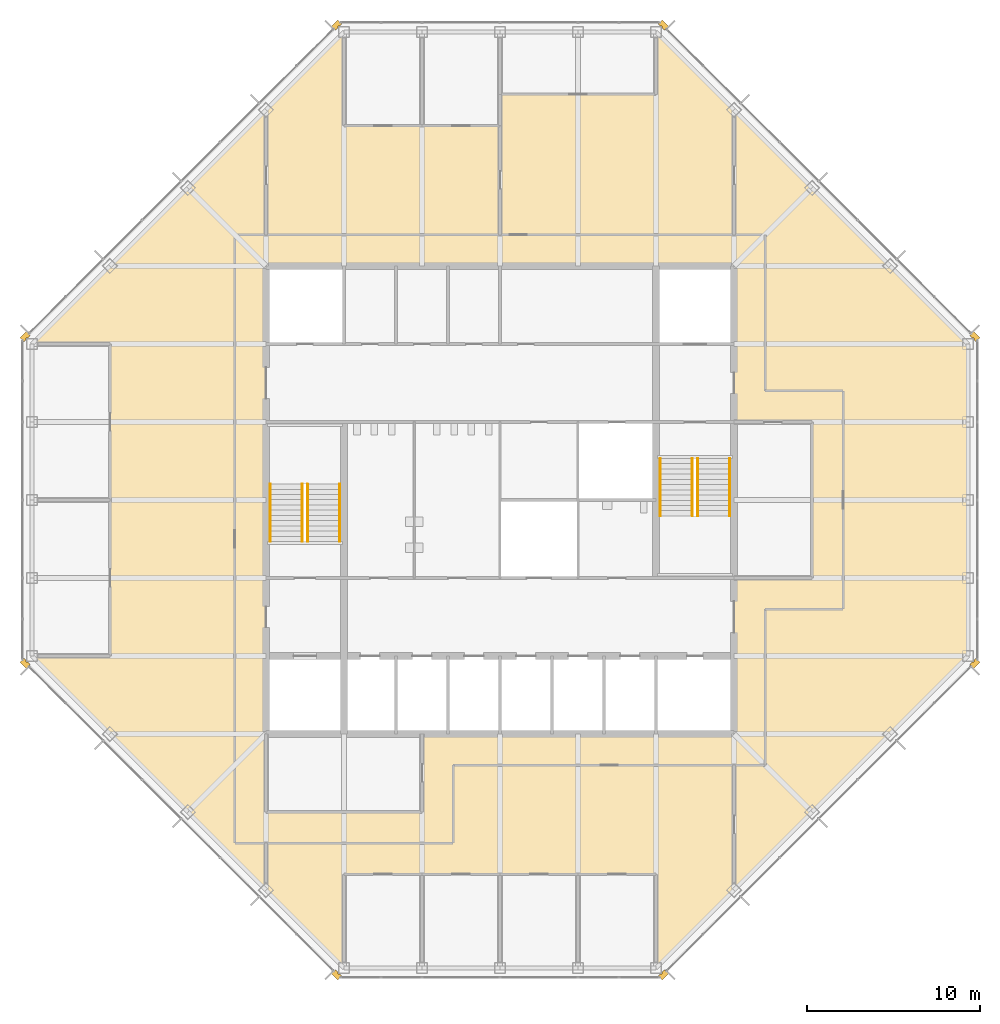
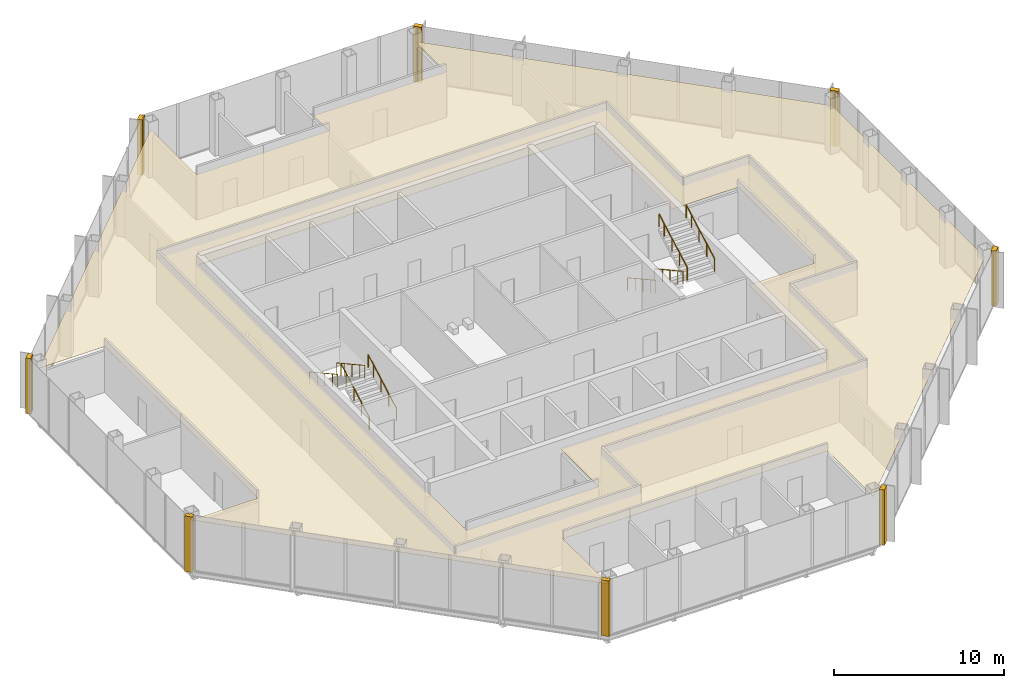
# One storey, part 12 of 13: 9 coverings, 8 railings.
"""IFC4 building model written with IfcOpenShell, lengths in metres."""

from ifc_helpers import new_model, si_unit, direction, frame, origin, origin_2d, place, context, subcontext, project, spatial, polyline, circle, outline, extrude, material, layer, layer_set, type_object, element, save


model = new_model("IFC4")

# Units and contexts
model_context = context("Model", 3, precision=1e-05, world=origin(), true_north=direction((0.0, 1.0)))
body_context = subcontext(model_context, "Body", "Model", "MODEL_VIEW")
ifc_project = project(units=[si_unit("LENGTHUNIT", "METRE"), si_unit("AREAUNIT", "SQUARE_METRE"), si_unit("VOLUMEUNIT", "CUBIC_METRE"), si_unit("PLANEANGLEUNIT", "RADIAN"), si_unit("MASSUNIT", "GRAM", prefix="KILO")], contexts=[model_context])

# Site, building, storey
site_placement = place(None, origin())
site = spatial("IfcSite", under=ifc_project, at=site_placement, CompositionType="ELEMENT")
building_placement = place(site_placement, origin())
building = spatial("IfcBuilding", under=site, at=building_placement, Name="Corais Broadcast Tower", CompositionType="ELEMENT")
storey_placement = place(building_placement, frame((0.0, 0.0, 226.60009765625)))
storey = spatial("IfcBuildingStorey", under=building, at=storey_placement, Name="L52", CompositionType="ELEMENT", Elevation=226.60009765625)

# Railings
ifc_material_1 = material(Name="Stainless steel handrail", Category="steel")
railing_type = type_object("IfcRailingType", Name="Handrail 920", PredefinedType="HANDRAIL", material=ifc_material_1)
for number, where, name in (
    (1, (17.75, 24.60009765625, 0.16650390625), "HR1 L52"),
    (2, (15.89990234375, 24.60009765625, 0.16650390625), "HR1 L52"),
):
    element("IfcRailing", number, at=place(storey_placement, frame(where)), inside=storey, type_object=railing_type, Name=name, PredefinedType="HANDRAIL", context=body_context, shape_type="SweptSolid", body=[
        extrude(circle(Radius=0.02392578125, at=origin_2d()), frame((0.0, 0.0, 0.89599609375), z_axis=(0.0, 0.875504475178, 0.483210010185), x_axis=(-1.0, 0.0, 0.0)), (0.0, 0.0, 1.0), 3.79443359375),
        extrude(circle(Radius=0.02099609375, at=origin_2d()), origin(), (0.0, 0.0, 1.0), 0.871826171875),
        extrude(circle(Radius=0.02099609375, at=origin_2d()), frame((0.0, 0.906005859375, 0.5)), (0.0, 0.0, 1.0), 0.871826171875),
        extrude(circle(Radius=0.02099609375, at=origin_2d()), frame((0.0, 1.81201171875, 1.0)), (0.0, 0.0, 1.0), 0.871826171875),
        extrude(circle(Radius=0.02099609375, at=origin_2d()), frame((0.0, 2.718017578125, 1.500244140625)), (0.0, 0.0, 1.0), 0.871826171875),
        extrude(circle(Radius=0.02099609375, at=origin_2d()), frame((0.0, 3.322021484375, 1.83349609375)), (0.0, 0.0, 1.0), 0.871826171875),
    ])
for number, where, name in (
    (3, (13.75, 27.922119140625, 2.16650390625), "HR1 L52"),
    (4, (15.60009765625, 27.922119140625, 2.16650390625), "HR1 L52"),
    (5, (36.25, 29.39990234375, 0.16650390625), "HR1 L52"),
    (6, (38.10009765625, 29.39990234375, 0.16650390625), "HR1 L52"),
):
    element("IfcRailing", number, at=place(storey_placement, frame(where)), inside=storey, type_object=railing_type, Name=name, PredefinedType="HANDRAIL", context=body_context, shape_type="SweptSolid", body=[
        extrude(circle(Radius=0.02392578125, at=origin_2d()), frame((0.0, 0.0, 0.89599609375), z_axis=(0.0, -0.875504475178, 0.483210010185), x_axis=(1.0, 0.0, 0.0)), (0.0, 0.0, 1.0), 3.79443359375),
        extrude(circle(Radius=0.02099609375, at=origin_2d()), origin(), (0.0, 0.0, 1.0), 0.871826171875),
        extrude(circle(Radius=0.02099609375, at=origin_2d()), frame((0.0, -0.906005859375, 0.5)), (0.0, 0.0, 1.0), 0.871826171875),
        extrude(circle(Radius=0.02099609375, at=origin_2d()), frame((0.0, -1.81201171875, 1.0)), (0.0, 0.0, 1.0), 0.871826171875),
        extrude(circle(Radius=0.02099609375, at=origin_2d()), frame((0.0, -2.718017578125, 1.500244140625)), (0.0, 0.0, 1.0), 0.871826171875),
        extrude(circle(Radius=0.02099609375, at=origin_2d()), frame((0.0, -3.322021484375, 1.83349609375)), (0.0, 0.0, 1.0), 0.871826171875),
    ])
for number, where, name in (
    (7, (40.25, 26.077880859375, 2.16650390625), "HR1 L52"),
    (8, (38.39990234375, 26.077880859375, 2.16650390625), "HR1 L52"),
):
    element("IfcRailing", number, at=place(storey_placement, frame(where)), inside=storey, type_object=railing_type, Name=name, PredefinedType="HANDRAIL", context=body_context, shape_type="SweptSolid", body=[
        extrude(circle(Radius=0.02392578125, at=origin_2d()), frame((0.0, 0.0, 0.89599609375), z_axis=(0.0, 0.875504475178, 0.483210010185), x_axis=(-1.0, 0.0, 0.0)), (0.0, 0.0, 1.0), 3.79443359375),
        extrude(circle(Radius=0.02099609375, at=origin_2d()), origin(), (0.0, 0.0, 1.0), 0.871826171875),
        extrude(circle(Radius=0.02099609375, at=origin_2d()), frame((0.0, 0.906005859375, 0.5)), (0.0, 0.0, 1.0), 0.871826171875),
        extrude(circle(Radius=0.02099609375, at=origin_2d()), frame((0.0, 1.81201171875, 1.0)), (0.0, 0.0, 1.0), 0.871826171875),
        extrude(circle(Radius=0.02099609375, at=origin_2d()), frame((0.0, 2.718017578125, 1.500244140625)), (0.0, 0.0, 1.0), 0.871826171875),
        extrude(circle(Radius=0.02099609375, at=origin_2d()), frame((0.0, 3.322021484375, 1.83349609375)), (0.0, 0.0, 1.0), 0.871826171875),
    ])

# Coverings
ifc_material_2 = material(Name="Granite stone cladding", Category="masonry")
ifc_layer_1 = layer(ifc_material_2, 0.324951171875)
ifc_layer_set_1 = layer_set([ifc_layer_1], Name="Granite stone cladding")
covering_type_1 = type_object("IfcCoveringType", Name="Stone corner pier cladding 500x325", PredefinedType="CLADDING", material=ifc_layer_set_1)
covering_1_placement = place(storey_placement, origin())
element("IfcCovering", 9, at=covering_1_placement, inside=storey, type_object=covering_type_1, Name="SP1 stone corner pier L52", PredefinedType="CLADDING", context=body_context, shape_type="SweptSolid", body=[
    extrude(outline(polyline([(17.860595703125, -0.461669921875), (17.7490234375, -0.35009765625), (17.64990234375, -0.35009765625), (17.64990234375, -0.2509765625), (17.507080078125, -0.108154296875), (17.277099609375, -0.337890625), (17.630859375, -0.69140625), (17.860595703125, -0.461669921875)])), origin(), (0.0, 0.0, 1.0), 4.0),
])
covering_2_placement = place(storey_placement, origin())
element("IfcCovering", 10, at=covering_2_placement, inside=storey, type_object=covering_type_1, Name="SP1 stone corner pier L52", PredefinedType="CLADDING", context=body_context, shape_type="SweptSolid", body=[
    extrude(outline(polyline([(-0.35009765625, 17.7490234375), (-0.461669921875, 17.860595703125), (-0.69140625, 17.630859375), (-0.337890625, 17.277099609375), (-0.108154296875, 17.507080078125), (-0.2509765625, 17.64990234375), (-0.35009765625, 17.64990234375), (-0.35009765625, 17.7490234375)])), origin(), (0.0, 0.0, 1.0), 4.0),
])
covering_3_placement = place(storey_placement, origin())
element("IfcCovering", 11, at=covering_3_placement, inside=storey, type_object=covering_type_1, Name="SP1 stone corner pier L52", PredefinedType="CLADDING", context=body_context, shape_type="SweptSolid", body=[
    extrude(outline(polyline([(-0.461669921875, 36.139404296875), (-0.35009765625, 36.2509765625), (-0.35009765625, 36.35009765625), (-0.2509765625, 36.35009765625), (-0.108154296875, 36.492919921875), (-0.337890625, 36.722900390625), (-0.69140625, 36.369140625), (-0.461669921875, 36.139404296875)])), origin(), (0.0, 0.0, 1.0), 4.0),
])
covering_4_placement = place(storey_placement, origin())
element("IfcCovering", 12, at=covering_4_placement, inside=storey, type_object=covering_type_1, Name="SP1 stone corner pier L52", PredefinedType="CLADDING", context=body_context, shape_type="SweptSolid", body=[
    extrude(outline(polyline([(17.7490234375, 54.35009765625), (17.860595703125, 54.461669921875), (17.630859375, 54.69140625), (17.277099609375, 54.337890625), (17.507080078125, 54.108154296875), (17.64990234375, 54.2509765625), (17.64990234375, 54.35009765625), (17.7490234375, 54.35009765625)])), origin(), (0.0, 0.0, 1.0), 4.0),
])
covering_5_placement = place(storey_placement, origin())
element("IfcCovering", 13, at=covering_5_placement, inside=storey, type_object=covering_type_1, Name="SP1 stone corner pier L52", PredefinedType="CLADDING", context=body_context, shape_type="SweptSolid", body=[
    extrude(outline(polyline([(36.139404296875, 54.461669921875), (36.2509765625, 54.35009765625), (36.35009765625, 54.35009765625), (36.35009765625, 54.2509765625), (36.492919921875, 54.108154296875), (36.722900390625, 54.337890625), (36.369140625, 54.69140625), (36.139404296875, 54.461669921875)])), origin(), (0.0, 0.0, 1.0), 4.0),
])
covering_6_placement = place(storey_placement, origin())
element("IfcCovering", 14, at=covering_6_placement, inside=storey, type_object=covering_type_1, Name="SP1 stone corner pier L52", PredefinedType="CLADDING", context=body_context, shape_type="SweptSolid", body=[
    extrude(outline(polyline([(54.35009765625, 36.2509765625), (54.461669921875, 36.139404296875), (54.69140625, 36.369140625), (54.337890625, 36.722900390625), (54.108154296875, 36.492919921875), (54.2509765625, 36.35009765625), (54.35009765625, 36.35009765625), (54.35009765625, 36.2509765625)])), origin(), (0.0, 0.0, 1.0), 4.0),
])
covering_7_placement = place(storey_placement, origin())
element("IfcCovering", 15, at=covering_7_placement, inside=storey, type_object=covering_type_1, Name="SP1 stone corner pier L52", PredefinedType="CLADDING", context=body_context, shape_type="SweptSolid", body=[
    extrude(outline(polyline([(54.461669921875, 17.860595703125), (54.35009765625, 17.7490234375), (54.35009765625, 17.64990234375), (54.2509765625, 17.64990234375), (54.108154296875, 17.507080078125), (54.337890625, 17.277099609375), (54.69140625, 17.630859375), (54.461669921875, 17.860595703125)])), origin(), (0.0, 0.0, 1.0), 4.0),
])
covering_8_placement = place(storey_placement, origin())
element("IfcCovering", 16, at=covering_8_placement, inside=storey, type_object=covering_type_1, Name="SP1 stone corner pier L52", PredefinedType="CLADDING", context=body_context, shape_type="SweptSolid", body=[
    extrude(outline(polyline([(36.2509765625, -0.35009765625), (36.139404296875, -0.461669921875), (36.369140625, -0.69140625), (36.722900390625, -0.337890625), (36.492919921875, -0.108154296875), (36.35009765625, -0.2509765625), (36.35009765625, -0.35009765625), (36.2509765625, -0.35009765625)])), origin(), (0.0, 0.0, 1.0), 4.0),
])
ifc_material_3 = material(Name="Mineral fibre ceiling tile", Category="mineral")
ifc_layer_2 = layer(ifc_material_3, 0.02001953125)
ifc_layer_set_2 = layer_set([ifc_layer_2], Name="Mineral fibre ceiling tile")
covering_type_2 = type_object("IfcCoveringType", Name="Suspended ceiling", PredefinedType="CEILING", material=ifc_layer_set_2)
covering_9_placement = place(storey_placement, frame((0.0, 0.0, 3.219970703125)))
element("IfcCovering", 17, at=covering_9_placement, inside=storey, type_object=covering_type_2, Name="CE1 ceiling L52", PredefinedType="CEILING", context=body_context, shape_type="SweptSolid", body=[
    extrude(outline(polyline([(13.5, 49.5), (18.0, 54.0), (18.0, 48.60009765625), (27.0, 48.60009765625), (27.0, 50.39990234375), (36.0, 50.39990234375), (36.0, 54.0), (54.0, 36.0), (54.0, 18.0), (40.500244140625, 4.500244140625), (40.498779296875, 4.498779296875), (40.498291015625, 4.498291015625), (36.0, 0.0), (36.0, 5.39990234375), (18.0, 5.39990234375), (18.0, 0.0), (13.501708984375, 4.498291015625), (13.499755859375, 4.500244140625), (0.0, 18.0), (4.5, 18.0), (4.5, 36.0), (0.0, 36.0), (13.5, 49.5)]), holes=[polyline([(45.0, 22.5), (45.0, 31.5), (40.5, 31.5), (40.5, 40.5), (13.5, 40.5), (13.5, 9.0), (22.5, 9.0), (22.5, 13.5), (40.5, 13.5), (40.5, 22.5), (45.0, 22.5)])]), origin(), (0.0, 0.0, 1.0), 0.02001953125),
])

save(model, "model.ifc")
